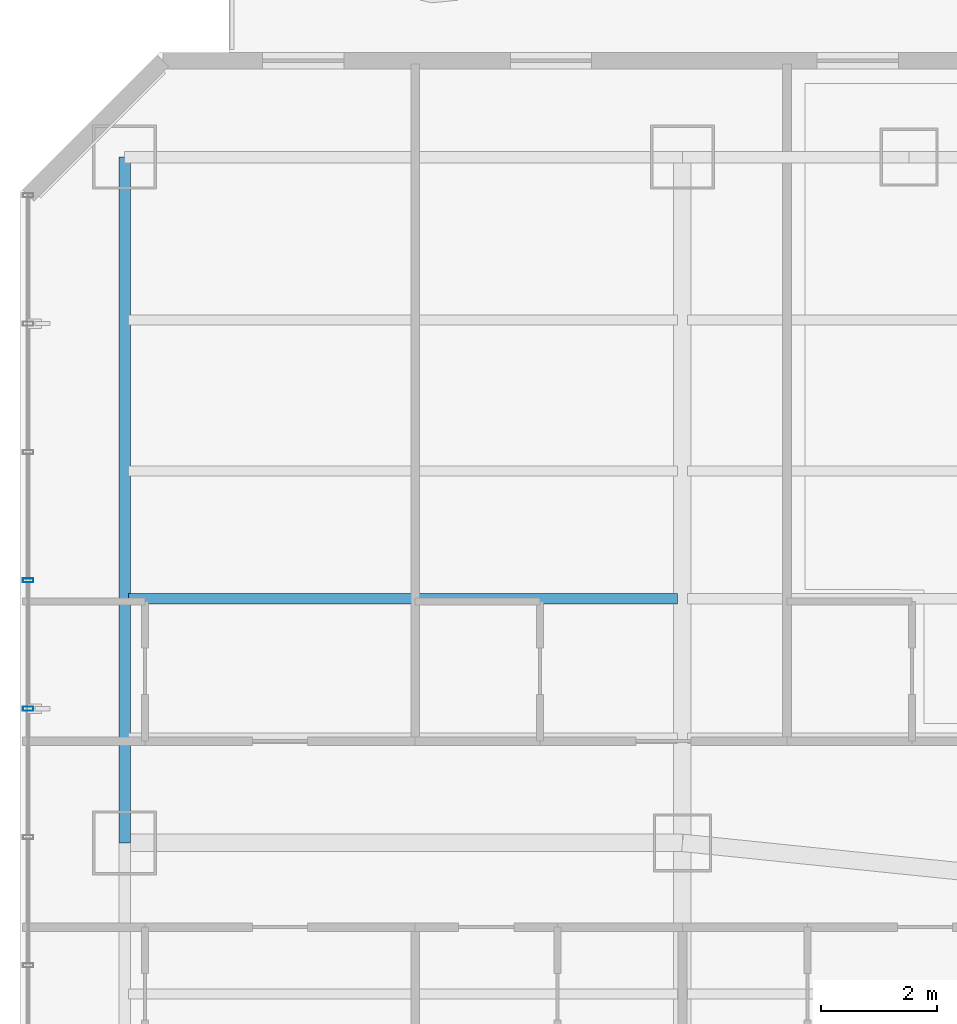
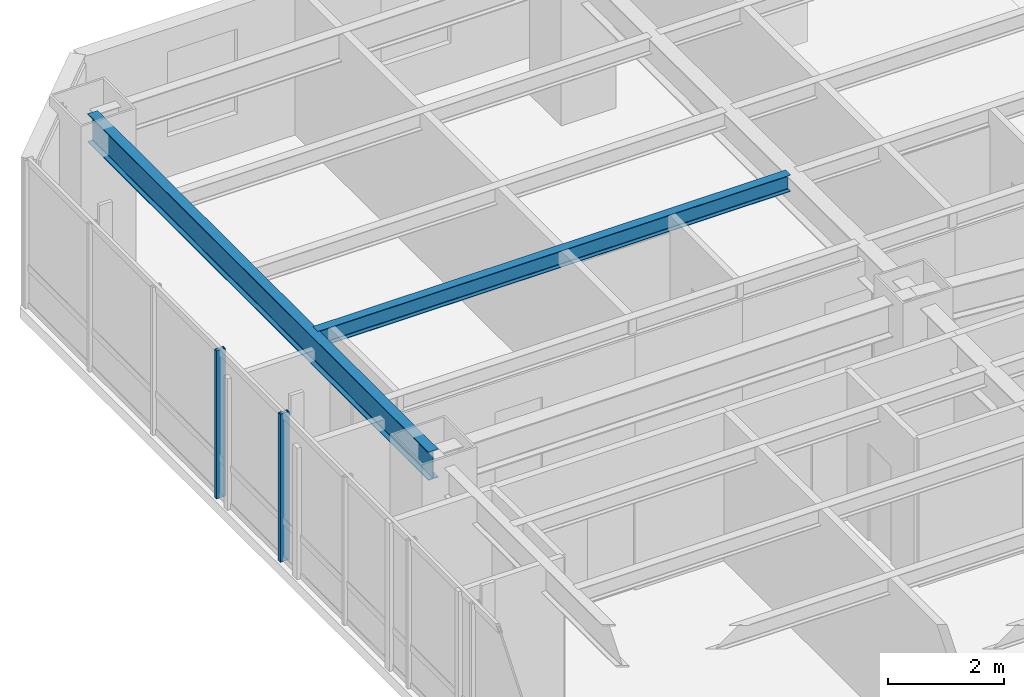
# One storey, part 14 of 37: 2 beams, 2 members, 1 element without a shape of its own.
"""IFC4 building model written with IfcOpenShell, lengths in metres."""

from ifc_helpers import new_model, si_unit, direction, frame, origin, origin_2d, place, context, subcontext, project, spatial, hollow_rectangle, i_section, extrude, material, layer, layer_set, material_profile, profile_set, type_object, element, aggregate, save


model = new_model("IFC4")

# Units and contexts
model_context = context("Model", 3, precision=1e-05, world=origin(), true_north=direction((0.0, 1.0)))
body_context = subcontext(model_context, "Body", "Model", "MODEL_VIEW")
ifc_project = project(units=[si_unit("LENGTHUNIT", "METRE"), si_unit("AREAUNIT", "SQUARE_METRE"), si_unit("VOLUMEUNIT", "CUBIC_METRE"), si_unit("PLANEANGLEUNIT", "RADIAN"), si_unit("MASSUNIT", "GRAM", prefix="KILO")], contexts=[model_context])

# Site, building, storey
site_placement = place(None, origin())
site = spatial("IfcSite", under=ifc_project, at=site_placement, CompositionType="ELEMENT")
building_placement = place(site_placement, origin())
building = spatial("IfcBuilding", under=site, at=building_placement, Name="Hatsunagi Terrace Concourse", CompositionType="ELEMENT")
storey_placement = place(building_placement, frame((0.0, 0.0, 50.0)))
storey = spatial("IfcBuildingStorey", under=building, at=storey_placement, Name="L12", CompositionType="ELEMENT", Elevation=50.0)

# Curtain wall, members
ifc_material_1 = material(Name="Anodised Aluminium Alloy 6063-T5", Category="aluminium")
ifc_layer = layer(ifc_material_1, 0.199951171875)
ifc_layer_set = layer_set([ifc_layer], Name="HotelFacade_CW02")
curtain_wall_type = type_object("IfcCurtainWallType", Name="HotelFacade_CW02", PredefinedType="NOTDEFINED", material=ifc_layer_set)
curtain_wall_placement = place(storey_placement, origin())
curtain_wall = element("IfcCurtainWall", 1, at=curtain_wall_placement, inside=storey, type_object=curtain_wall_type, Name="Unitised Curtain Wall CW-02 CW-L12-09", PredefinedType="NOTDEFINED")
ifc_material_2 = material(Name="Anodised Aluminium Alloy 6063-T5", Category="aluminium")
ifc_material_profile_1 = material_profile(ifc_material_2, hollow_rectangle(XDim=0.070068359375, YDim=0.179931640625, WallThickness=0.00390625, at=origin_2d()), Name="ALU-MUL-180x70x4")
ifc_profile_set_1 = profile_set([ifc_material_profile_1], Name="Anodised Aluminium Alloy 6063-T5")
member_type = type_object("IfcMemberType", Name="CurtainWallMullion_180x70", PredefinedType="MULLION", material=ifc_profile_set_1)
member_1_placement = place(storey_placement, frame((0.139892578125, 39.10791015625, 0.0), z_axis=(0.0, 0.0, 1.0), x_axis=(0.0, 1.0, 0.0)))
member_1 = element("IfcMember", 2, at=member_1_placement, type_object=member_type, Name="Curtain Wall Mullion MUL-02", PredefinedType="MULLION", context=body_context, shape_type="SweptSolid", body=[
    extrude(hollow_rectangle(XDim=0.070068359375, YDim=0.179931640625, WallThickness=0.00390625, at=origin_2d()), origin(), (0.0, 0.0, 1.0), 3.1298828125),
])
member_2_placement = place(storey_placement, frame((0.139892578125, 41.31689453125, 0.0), z_axis=(0.0, 0.0, 1.0), x_axis=(0.0, 1.0, 0.0)))
member_2 = element("IfcMember", 3, at=member_2_placement, type_object=member_type, Name="Curtain Wall Mullion MUL-02", PredefinedType="MULLION", context=body_context, shape_type="SweptSolid", body=[
    extrude(hollow_rectangle(XDim=0.070068359375, YDim=0.179931640625, WallThickness=0.00390625, at=origin_2d()), origin(), (0.0, 0.0, 1.0), 3.1298828125),
])
aggregate(curtain_wall, [member_1, member_2])

# Beams
ifc_material_3 = material(Name="Steel SN490B", Category="steel")
ifc_material_profile_2 = material_profile(ifc_material_3, i_section(OverallWidth=0.175048828125, OverallDepth=0.35009765625, WebThickness=0.007080078125, FlangeThickness=0.010986328125, FilletRadius=0.012939453125, at=origin_2d()), Name="H-350x175x7x11")
ifc_profile_set_2 = profile_set([ifc_material_profile_2], Name="Steel SN490B")
beam_type_1 = type_object("IfcBeamType", Name="HotelJoist_H_350x175", PredefinedType="JOIST", material=ifc_profile_set_2)
beam_1_placement = place(storey_placement, frame((1.864990234375, 41.0, 2.955078125), z_axis=(1.0, 0.0, 0.0), x_axis=(0.0, 1.0, 0.0)))
element("IfcBeam", 4, at=beam_1_placement, inside=storey, type_object=beam_type_1, Name="Beam J-02 J-L12-W-1-410", PredefinedType="JOIST", context=body_context, shape_type="SweptSolid", body=[
    extrude(i_section(OverallWidth=0.175048828125, OverallDepth=0.35009765625, WebThickness=0.007080078125, FlangeThickness=0.010986328125, FilletRadius=0.012939453125, at=origin_2d()), origin(), (0.0, 0.0, 1.0), 9.449951171875),
])
ifc_material_4 = material(Name="Steel SN490B", Category="steel")
ifc_material_profile_3 = material_profile(ifc_material_4, i_section(OverallWidth=0.199951171875, OverallDepth=0.60009765625, WebThickness=0.010986328125, FlangeThickness=0.01708984375, FilletRadius=0.01806640625, at=origin_2d()), Name="H-600x200x11x17")
ifc_profile_set_3 = profile_set([ifc_material_profile_3], Name="Steel SN490B")
beam_type_2 = type_object("IfcBeamType", Name="PerimeterSpandrel_H_600x200", PredefinedType="SPANDREL", material=ifc_profile_set_3)
beam_2_placement = place(storey_placement, frame((1.800048828125, 36.800048828125, 2.830078125), z_axis=(0.0, 1.0, 0.0), x_axis=(-1.0, 0.0, 0.0)))
element("IfcBeam", 5, at=beam_2_placement, inside=storey, type_object=beam_type_2, Name="Beam SP-01 BM-L12-NS-1-36", PredefinedType="SPANDREL", context=body_context, shape_type="SweptSolid", body=[
    extrude(i_section(OverallWidth=0.199951171875, OverallDepth=0.60009765625, WebThickness=0.010986328125, FlangeThickness=0.01708984375, FilletRadius=0.01806640625, at=origin_2d()), origin(), (0.0, 0.0, 1.0), 11.800048828125),
])

save(model, "model.ifc")
